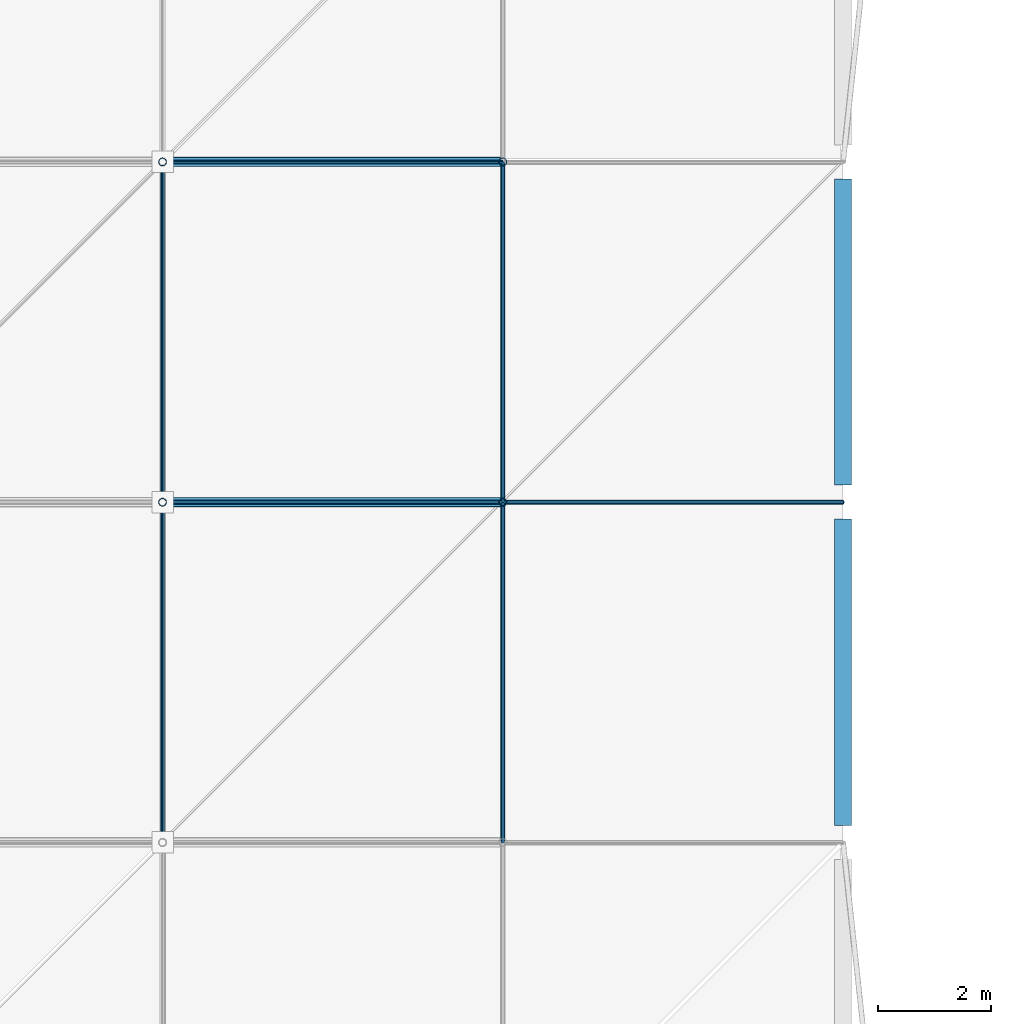
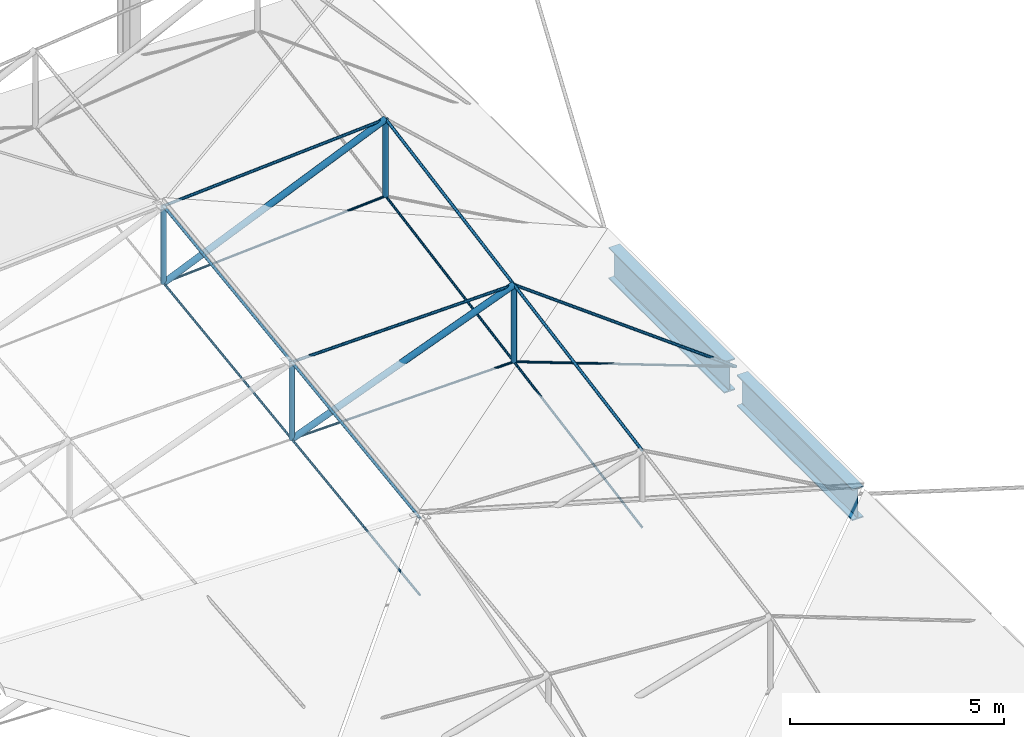
# One storey, part 41 of 132: 20 members, 2 beams.
"""IFC4 building model written with IfcOpenShell, lengths in metres."""

from ifc_helpers import new_model, si_unit, direction, frame, origin, origin_2d, place, context, subcontext, project, spatial, circle, hollow_circle, i_section, extrude, material, material_profile, profile_set, type_object, element, save


model = new_model("IFC4")

# Units and contexts
model_context = context("Model", 3, precision=1e-05, world=origin(), true_north=direction((0.0, 1.0)))
body_context = subcontext(model_context, "Body", "Model", "MODEL_VIEW")
ifc_project = project(units=[si_unit("LENGTHUNIT", "METRE"), si_unit("AREAUNIT", "SQUARE_METRE"), si_unit("VOLUMEUNIT", "CUBIC_METRE"), si_unit("PLANEANGLEUNIT", "RADIAN"), si_unit("MASSUNIT", "GRAM", prefix="KILO")], contexts=[model_context])

# Site, building, storey
site_placement = place(None, origin())
site = spatial("IfcSite", under=ifc_project, at=site_placement, CompositionType="ELEMENT")
building_placement = place(site_placement, origin())
building = spatial("IfcBuilding", under=site, at=building_placement, Name="Deido Ridge Mobility Hub", CompositionType="ELEMENT")
storey_placement = place(building_placement, frame((0.0, 0.0, 8.39990234375)))
storey = spatial("IfcBuildingStorey", under=building, at=storey_placement, Name="L02", CompositionType="ELEMENT", Elevation=8.39990234375)

# Beams
ifc_material_1 = material(Name="Steel S355J2 EN 10025-2", Category="steel")
ifc_material_profile_1 = material_profile(ifc_material_1, i_section(OverallWidth=0.300048828125, OverallDepth=0.89990234375, WebThickness=0.0185546875, FlangeThickness=0.034912109375, FilletRadius=0.027099609375, at=origin_2d()), Name="HEB 900")
ifc_profile_set_1 = profile_set([ifc_material_profile_1], Name="Steel S355J2 EN 10025-2")
beam_type = type_object("IfcBeamType", Name="BM-RING-HEB900", PredefinedType="USERDEFINED", material=ifc_profile_set_1)
for number, where, z_axis, x_axis, name in (
    (1, (60.0, 12.300048828125, -0.449951171875), (0.0, 1.0, 0.0), (-1.0, 0.0, 0.0), "Compression ring beam RB1"),
    (2, (60.0, 18.300048828125, -0.449951171875), (0.0, 1.0, 0.0), (-1.0, 0.0, 0.0), "Compression ring beam RB1"),
):
    element("IfcBeam", number, at=place(storey_placement, frame(where, z_axis=z_axis, x_axis=x_axis)), inside=storey, type_object=beam_type, Name=name, ObjectType="RING BEAM", PredefinedType="USERDEFINED", context=body_context, shape_type="SweptSolid", body=[
        extrude(i_section(OverallWidth=0.300048828125, OverallDepth=0.89990234375, WebThickness=0.0185546875, FlangeThickness=0.034912109375, FilletRadius=0.027099609375, at=origin_2d()), origin(), (0.0, 0.0, 1.0), 5.39990234375),
    ])

# Members
ifc_material_2 = material(Name="Steel S460M EN 10025-4", Category="steel")
ifc_material_profile_2 = material_profile(ifc_material_2, circle(Radius=0.030029296875, at=origin_2d()), Name="CABLE D60")
ifc_profile_set_2 = profile_set([ifc_material_profile_2], Name="Steel S460M EN 10025-4")
member_type_1 = type_object("IfcMemberType", Name="MEM-CBL-D60", PredefinedType="USERDEFINED", material=ifc_profile_set_2)
member_1_placement = place(storey_placement, frame((48.0, 18.0, 2.130126953125), z_axis=(0.999832404079, 0.0, 0.018307478102), x_axis=(0.0, 1.0, 0.0)))
element("IfcMember", 3, at=member_1_placement, inside=storey, type_object=member_type_1, Name="Saddle lower stabilizing cable CB3", ObjectType="TENSION CABLE", PredefinedType="USERDEFINED", context=body_context, shape_type="SweptSolid", body=[
    extrude(circle(Radius=0.030029296875, at=origin_2d()), origin(), (0.0, 0.0, 1.0), 6.0009765625),
])
member_2_placement = place(storey_placement, frame((54.0, 18.0, 2.239990234375), z_axis=(0.936842014351, 0.0, -0.349752827217), x_axis=(0.0, 1.0, 0.0)))
element("IfcMember", 4, at=member_2_placement, inside=storey, type_object=member_type_1, Name="Saddle lower stabilizing cable CB3", ObjectType="TENSION CABLE", PredefinedType="USERDEFINED", context=body_context, shape_type="SweptSolid", body=[
    extrude(circle(Radius=0.030029296875, at=origin_2d()), origin(), (0.0, 0.0, 1.0), 6.404541015625),
])
member_3_placement = place(storey_placement, frame((48.0, 24.0, 2.9501953125), z_axis=(0.997965676134, 0.0, 0.063753503887), x_axis=(0.0, 1.0, 0.0)))
element("IfcMember", 5, at=member_3_placement, inside=storey, type_object=member_type_1, Name="Saddle lower stabilizing cable CB3", ObjectType="TENSION CABLE", PredefinedType="USERDEFINED", context=body_context, shape_type="SweptSolid", body=[
    extrude(circle(Radius=0.030029296875, at=origin_2d()), origin(), (0.0, 0.0, 1.0), 6.01220703125),
])
for number, where, z_axis, x_axis, name in (
    (6, (48.0, 12.0, 1.31005859375), (0.0, 0.990788415376, 0.135419038381), (-1.0, 0.0, 0.0), "Saddle transverse valley cable CB3"),
    (7, (48.0, 18.0, 2.130126953125), (0.0, 0.990788415376, 0.135419038381), (-1.0, 0.0, 0.0), "Saddle transverse valley cable CB3"),
):
    element("IfcMember", number, at=place(storey_placement, frame(where, z_axis=z_axis, x_axis=x_axis)), inside=storey, type_object=member_type_1, Name=name, ObjectType="TENSION CABLE", PredefinedType="USERDEFINED", context=body_context, shape_type="SweptSolid", body=[
        extrude(circle(Radius=0.030029296875, at=origin_2d()), origin(), (0.0, 0.0, 1.0), 6.0556640625),
    ])
for number, where, z_axis, x_axis, name in (
    (8, (54.0, 12.0, 1.146728515625), (0.0, 0.983801946657, 0.179258834519), (-1.0, 0.0, 0.0), "Saddle transverse valley cable CB3"),
    (9, (54.0, 18.0, 2.239990234375), (0.0, 0.98379488627, 0.17929757876), (-1.0, 0.0, 0.0), "Saddle transverse valley cable CB3"),
):
    element("IfcMember", number, at=place(storey_placement, frame(where, z_axis=z_axis, x_axis=x_axis)), inside=storey, type_object=member_type_1, Name=name, ObjectType="TENSION CABLE", PredefinedType="USERDEFINED", context=body_context, shape_type="SweptSolid", body=[
        extrude(circle(Radius=0.030029296875, at=origin_2d()), origin(), (0.0, 0.0, 1.0), 6.098876953125),
    ])
ifc_material_profile_3 = material_profile(ifc_material_2, circle(Radius=0.0380859375, at=origin_2d()), Name="CABLE D76")
ifc_profile_set_3 = profile_set([ifc_material_profile_3], Name="Steel S460M EN 10025-4")
member_type_2 = type_object("IfcMemberType", Name="MEM-CBL-D76", PredefinedType="USERDEFINED", material=ifc_profile_set_3)
member_4_placement = place(storey_placement, frame((48.0, 18.0, 4.330078125), z_axis=(0.999831658568, 0.0, 0.018348147706), x_axis=(0.0, 1.0, 0.0)))
element("IfcMember", 10, at=member_4_placement, inside=storey, type_object=member_type_2, Name="Saddle upper longitudinal cable CB2", ObjectType="TENSION CABLE", PredefinedType="USERDEFINED", context=body_context, shape_type="SweptSolid", body=[
    extrude(circle(Radius=0.0380859375, at=origin_2d()), origin(), (0.0, 0.0, 1.0), 6.0009765625),
])
member_5_placement = place(storey_placement, frame((54.0, 18.0, 4.440185546875), z_axis=(0.803830012936, 0.0, -0.594859067597), x_axis=(0.0, 1.0, 0.0)))
element("IfcMember", 11, at=member_5_placement, inside=storey, type_object=member_type_2, Name="Saddle upper longitudinal cable CB2", ObjectType="TENSION CABLE", PredefinedType="USERDEFINED", context=body_context, shape_type="SweptSolid", body=[
    extrude(circle(Radius=0.0380859375, at=origin_2d()), origin(), (0.0, 0.0, 1.0), 7.46435546875),
])
member_6_placement = place(storey_placement, frame((48.0, 24.0, 5.150146484375), z_axis=(0.997965676134, 0.0, 0.063753503887), x_axis=(0.0, 1.0, 0.0)))
element("IfcMember", 12, at=member_6_placement, inside=storey, type_object=member_type_2, Name="Saddle upper longitudinal cable CB2", ObjectType="TENSION CABLE", PredefinedType="USERDEFINED", context=body_context, shape_type="SweptSolid", body=[
    extrude(circle(Radius=0.0380859375, at=origin_2d()), origin(), (0.0, 0.0, 1.0), 6.01220703125),
])
for number, where, z_axis, x_axis, name in (
    (13, (48.0, 12.0, 3.510009765625), (0.0, 0.990788415376, 0.135419038381), (-1.0, 0.0, 0.0), "Saddle transverse ridge cable CB2"),
    (14, (48.0, 18.0, 4.330078125), (0.0, 0.990788415376, 0.135419038381), (-1.0, 0.0, 0.0), "Saddle transverse ridge cable CB2"),
):
    element("IfcMember", number, at=place(storey_placement, frame(where, z_axis=z_axis, x_axis=x_axis)), inside=storey, type_object=member_type_2, Name=name, ObjectType="TENSION CABLE", PredefinedType="USERDEFINED", context=body_context, shape_type="SweptSolid", body=[
        extrude(circle(Radius=0.0380859375, at=origin_2d()), origin(), (0.0, 0.0, 1.0), 6.0556640625),
    ])
for number, where, z_axis, x_axis, name in (
    (15, (54.0, 12.0, 3.3466796875), (0.0, 0.98379488627, 0.17929757876), (-1.0, 0.0, 0.0), "Saddle transverse ridge cable CB2"),
    (16, (54.0, 18.0, 4.440185546875), (0.0, 0.983801946657, 0.179258834519), (-1.0, 0.0, 0.0), "Saddle transverse ridge cable CB2"),
):
    element("IfcMember", number, at=place(storey_placement, frame(where, z_axis=z_axis, x_axis=x_axis)), inside=storey, type_object=member_type_2, Name=name, ObjectType="TENSION CABLE", PredefinedType="USERDEFINED", context=body_context, shape_type="SweptSolid", body=[
        extrude(circle(Radius=0.0380859375, at=origin_2d()), origin(), (0.0, 0.0, 1.0), 6.098876953125),
    ])
ifc_material_3 = material(Name="Steel S355J2H EN 10210-1", Category="steel")
ifc_material_profile_4 = material_profile(ifc_material_3, hollow_circle(Radius=0.06982421875, WallThickness=0.00634765625, at=origin_2d()), Name="CHS 139.7x6.3")
ifc_profile_set_4 = profile_set([ifc_material_profile_4], Name="Steel S355J2H EN 10210-1")
member_type_3 = type_object("IfcMemberType", Name="MEM-STR-CHS140", PredefinedType="STRUT", material=ifc_profile_set_4)
for number, where, z_axis, x_axis, name in (
    (17, (48.0, 18.0, 2.130126953125), (0.0, 0.0, 1.0), (1.0, 0.0, 0.0), "Cable-net vertical spreader strut SR2"),
    (18, (48.0, 24.0, 2.9501953125), (0.0, 0.0, 1.0), (1.0, 0.0, 0.0), "Cable-net vertical spreader strut SR2"),
):
    element("IfcMember", number, at=place(storey_placement, frame(where, z_axis=z_axis, x_axis=x_axis)), inside=storey, type_object=member_type_3, Name=name, PredefinedType="STRUT", context=body_context, shape_type="SweptSolid", body=[
        extrude(hollow_circle(Radius=0.06982421875, WallThickness=0.00634765625, at=origin_2d()), origin(), (0.0, 0.0, 1.0), 2.199951171875),
    ])
member_7_placement = place(storey_placement, frame((54.0, 18.0, 2.239990234375), z_axis=(0.0, 0.0, 1.0), x_axis=(1.0, 0.0, 0.0)))
element("IfcMember", 19, at=member_7_placement, inside=storey, type_object=member_type_3, Name="Cable-net vertical spreader strut SR2", PredefinedType="STRUT", context=body_context, shape_type="SweptSolid", body=[
    extrude(hollow_circle(Radius=0.06982421875, WallThickness=0.00634765625, at=origin_2d()), origin(), (0.0, 0.0, 1.0), 2.2001953125),
])
member_8_placement = place(storey_placement, frame((54.0, 24.0, 3.33349609375), z_axis=(0.0, 0.0, 1.0), x_axis=(1.0, 0.0, 0.0)))
element("IfcMember", 20, at=member_8_placement, inside=storey, type_object=member_type_3, Name="Cable-net vertical spreader strut SR2", PredefinedType="STRUT", context=body_context, shape_type="SweptSolid", body=[
    extrude(hollow_circle(Radius=0.06982421875, WallThickness=0.00634765625, at=origin_2d()), origin(), (0.0, 0.0, 1.0), 2.199951171875),
])
ifc_material_profile_5 = material_profile(ifc_material_3, hollow_circle(Radius=0.084228515625, WallThickness=0.008056640625, at=origin_2d()), Name="CHS 168.3x8")
ifc_profile_set_5 = profile_set([ifc_material_profile_5], Name="Steel S355J2H EN 10210-1")
member_type_4 = type_object("IfcMemberType", Name="MEM-STR-CHS168", PredefinedType="STRUT", material=ifc_profile_set_5)
member_9_placement = place(storey_placement, frame((48.0, 18.0, 2.130126953125), z_axis=(0.933222237046, 0.0, 0.359299674761), x_axis=(0.0, 1.0, 0.0)))
element("IfcMember", 21, at=member_9_placement, inside=storey, type_object=member_type_4, Name="Saddle diagonal web strut SR1", PredefinedType="STRUT", context=body_context, shape_type="SweptSolid", body=[
    extrude(hollow_circle(Radius=0.084228515625, WallThickness=0.008056640625, at=origin_2d()), origin(), (0.0, 0.0, 1.0), 6.429443359375),
])
member_10_placement = place(storey_placement, frame((48.0, 24.0, 2.9501953125), z_axis=(0.91848843506, 0.0, 0.395447840632), x_axis=(0.0, 1.0, 0.0)))
element("IfcMember", 22, at=member_10_placement, inside=storey, type_object=member_type_4, Name="Saddle diagonal web strut SR1", PredefinedType="STRUT", context=body_context, shape_type="SweptSolid", body=[
    extrude(hollow_circle(Radius=0.084228515625, WallThickness=0.008056640625, at=origin_2d()), origin(), (0.0, 0.0, 1.0), 6.532470703125),
])

save(model, "model.ifc")
